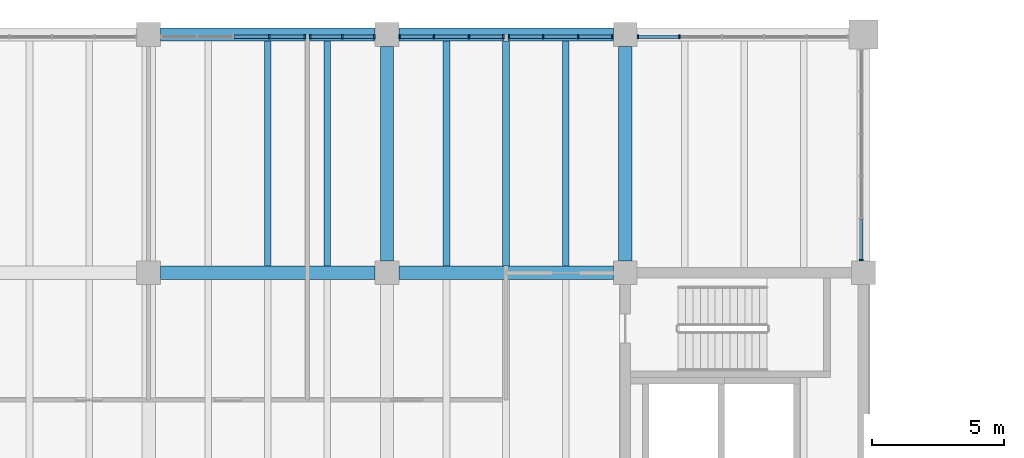
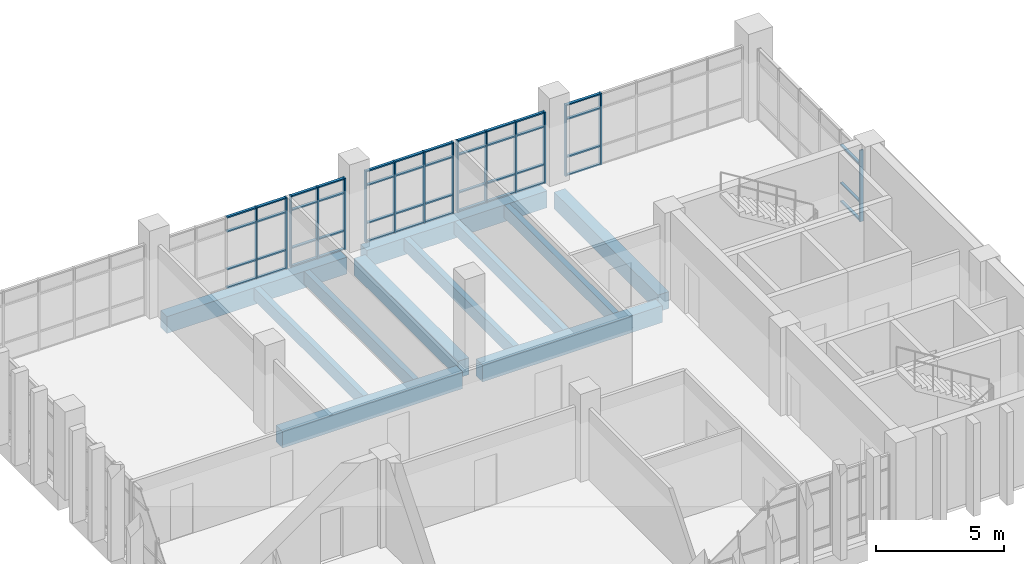
# One storey, part 32 of 92: 63 members, 11 beams, 6 elements without a shape of their own.
"""IFC4 building model written with IfcOpenShell, lengths in metres."""

from ifc_helpers import new_model, si_unit, direction, frame, origin, origin_2d, place, context, subcontext, project, spatial, rectangle, extrude, material, material_profile, profile_set, type_object, element, aggregate, save


model = new_model("IFC4")

# Units and contexts
model_context = context("Model", 3, precision=1e-05, world=origin(), true_north=direction((0.0, 1.0)))
body_context = subcontext(model_context, "Body", "Model", "MODEL_VIEW")
ifc_project = project(units=[si_unit("LENGTHUNIT", "METRE"), si_unit("AREAUNIT", "SQUARE_METRE"), si_unit("VOLUMEUNIT", "CUBIC_METRE"), si_unit("PLANEANGLEUNIT", "RADIAN"), si_unit("MASSUNIT", "GRAM", prefix="KILO")], contexts=[model_context])

# Site, building, storey
site_placement = place(None, origin())
site = spatial("IfcSite", under=ifc_project, at=site_placement, CompositionType="ELEMENT")
building_placement = place(site_placement, origin())
building = spatial("IfcBuilding", under=site, at=building_placement, Name="Merrow Basin Faculty of Sciences", CompositionType="ELEMENT")
storey_placement = place(building_placement, frame((0.0, 0.0, 4.5)))
storey = spatial("IfcBuildingStorey", under=building, at=storey_placement, Name="L01", CompositionType="ELEMENT", Elevation=4.5)

# Curtain wall, members
ifc_material_1 = material(Name="Aluminium alloy 6063", Category="aluminium")
curtain_wall_type = type_object("IfcCurtainWallType", Name="Unitised curtain wall 160", PredefinedType="NOTDEFINED", material=ifc_material_1)
curtain_wall_1_placement = place(storey_placement, origin())
curtain_wall_1 = element("IfcCurtainWall", 1, at=curtain_wall_1_placement, inside=storey, type_object=curtain_wall_type, Name="N curtain wall L01 2", PredefinedType="NOTDEFINED")
ifc_material_2 = material(Name="Aluminium alloy 6063", Category="aluminium")
ifc_material_profile_1 = material_profile(ifc_material_2, rectangle(XDim=0.159912109375, YDim=0.06005859375, at=origin_2d()))
ifc_profile_set_1 = profile_set([ifc_material_profile_1], Name="Aluminium alloy 6063")
member_type_1 = type_object("IfcMemberType", Name="Aluminium mullion 60x160", PredefinedType="MULLION", material=ifc_profile_set_1)
member_1_placement = place(storey_placement, frame((31.55615234375, 168.919921875, 0.0), z_axis=(0.0, 0.0, 1.0), x_axis=(0.0, 1.0, 0.0)))
member_1 = element("IfcMember", 2, at=member_1_placement, type_object=member_type_1, Name="CW3 mullion 4", PredefinedType="MULLION", context=body_context, shape_type="SweptSolid", body=[
    extrude(rectangle(XDim=0.159912109375, YDim=0.06005859375, at=origin_2d()), origin(), (0.0, 0.0, 1.0), 3.39990234375),
])
member_2_placement = place(storey_placement, frame((32.89501953125, 168.919921875, 0.0), z_axis=(0.0, 0.0, 1.0), x_axis=(0.0, 1.0, 0.0)))
member_2 = element("IfcMember", 3, at=member_2_placement, type_object=member_type_1, Name="CW3 mullion 5", PredefinedType="MULLION", context=body_context, shape_type="SweptSolid", body=[
    extrude(rectangle(XDim=0.159912109375, YDim=0.06005859375, at=origin_2d()), origin(), (0.0, 0.0, 1.0), 3.39990234375),
])

curtain_wall_2_placement = place(storey_placement, origin())
curtain_wall_2 = element("IfcCurtainWall", 4, at=curtain_wall_2_placement, inside=storey, type_object=curtain_wall_type, Name="N curtain wall L01 3", PredefinedType="NOTDEFINED")
member_3_placement = place(storey_placement, frame((33.10498046875, 168.919921875, 0.0), z_axis=(0.0, 0.0, 1.0), x_axis=(0.0, 1.0, 0.0)))
member_3 = element("IfcMember", 5, at=member_3_placement, type_object=member_type_1, Name="CW3 mullion 1", PredefinedType="MULLION", context=body_context, shape_type="SweptSolid", body=[
    extrude(rectangle(XDim=0.159912109375, YDim=0.06005859375, at=origin_2d()), origin(), (0.0, 0.0, 1.0), 3.39990234375),
])
member_4_placement = place(storey_placement, frame((34.3125, 168.919921875, 0.0), z_axis=(0.0, 0.0, 1.0), x_axis=(0.0, 1.0, 0.0)))
member_4 = element("IfcMember", 6, at=member_4_placement, type_object=member_type_1, Name="CW3 mullion 2", PredefinedType="MULLION", context=body_context, shape_type="SweptSolid", body=[
    extrude(rectangle(XDim=0.159912109375, YDim=0.06005859375, at=origin_2d()), origin(), (0.0, 0.0, 1.0), 3.39990234375),
])
member_5_placement = place(storey_placement, frame((35.52001953125, 168.919921875, 0.0), z_axis=(0.0, 0.0, 1.0), x_axis=(0.0, 1.0, 0.0)))
member_5 = element("IfcMember", 7, at=member_5_placement, type_object=member_type_1, Name="CW3 mullion 3", PredefinedType="MULLION", context=body_context, shape_type="SweptSolid", body=[
    extrude(rectangle(XDim=0.159912109375, YDim=0.06005859375, at=origin_2d()), origin(), (0.0, 0.0, 1.0), 3.39990234375),
])

curtain_wall_3_placement = place(storey_placement, origin())
curtain_wall_3 = element("IfcCurtainWall", 8, at=curtain_wall_3_placement, inside=storey, type_object=curtain_wall_type, Name="N curtain wall L01 4", PredefinedType="NOTDEFINED")
member_6_placement = place(storey_placement, frame((36.47998046875, 168.919921875, 0.0), z_axis=(0.0, 0.0, 1.0), x_axis=(0.0, 1.0, 0.0)))
member_6 = element("IfcMember", 9, at=member_6_placement, type_object=member_type_1, Name="CW3 mullion 1", PredefinedType="MULLION", context=body_context, shape_type="SweptSolid", body=[
    extrude(rectangle(XDim=0.159912109375, YDim=0.06005859375, at=origin_2d()), origin(), (0.0, 0.0, 1.0), 3.39990234375),
])
member_7_placement = place(storey_placement, frame((37.77490234375, 168.919921875, 0.0), z_axis=(0.0, 0.0, 1.0), x_axis=(0.0, 1.0, 0.0)))
member_7 = element("IfcMember", 10, at=member_7_placement, type_object=member_type_1, Name="CW3 mullion 2", PredefinedType="MULLION", context=body_context, shape_type="SweptSolid", body=[
    extrude(rectangle(XDim=0.159912109375, YDim=0.06005859375, at=origin_2d()), origin(), (0.0, 0.0, 1.0), 3.39990234375),
])
member_8_placement = place(storey_placement, frame((39.10009765625, 168.919921875, 0.0), z_axis=(0.0, 0.0, 1.0), x_axis=(0.0, 1.0, 0.0)))
member_8 = element("IfcMember", 11, at=member_8_placement, type_object=member_type_1, Name="CW3 mullion 3", PredefinedType="MULLION", context=body_context, shape_type="SweptSolid", body=[
    extrude(rectangle(XDim=0.159912109375, YDim=0.06005859375, at=origin_2d()), origin(), (0.0, 0.0, 1.0), 3.39990234375),
])
member_9_placement = place(storey_placement, frame((40.39501953125, 168.919921875, 0.0), z_axis=(0.0, 0.0, 1.0), x_axis=(0.0, 1.0, 0.0)))
member_9 = element("IfcMember", 12, at=member_9_placement, type_object=member_type_1, Name="CW3 mullion 4", PredefinedType="MULLION", context=body_context, shape_type="SweptSolid", body=[
    extrude(rectangle(XDim=0.159912109375, YDim=0.06005859375, at=origin_2d()), origin(), (0.0, 0.0, 1.0), 3.39990234375),
])

curtain_wall_4_placement = place(storey_placement, origin())
curtain_wall_4 = element("IfcCurtainWall", 13, at=curtain_wall_4_placement, inside=storey, type_object=curtain_wall_type, Name="N curtain wall L01 5", PredefinedType="NOTDEFINED")
member_10_placement = place(storey_placement, frame((40.60498046875, 168.919921875, 0.0), z_axis=(0.0, 0.0, 1.0), x_axis=(0.0, 1.0, 0.0)))
member_10 = element("IfcMember", 14, at=member_10_placement, type_object=member_type_1, Name="CW3 mullion 1", PredefinedType="MULLION", context=body_context, shape_type="SweptSolid", body=[
    extrude(rectangle(XDim=0.159912109375, YDim=0.06005859375, at=origin_2d()), origin(), (0.0, 0.0, 1.0), 3.39990234375),
])
member_11_placement = place(storey_placement, frame((41.89990234375, 168.919921875, 0.0), z_axis=(0.0, 0.0, 1.0), x_axis=(0.0, 1.0, 0.0)))
member_11 = element("IfcMember", 15, at=member_11_placement, type_object=member_type_1, Name="CW3 mullion 2", PredefinedType="MULLION", context=body_context, shape_type="SweptSolid", body=[
    extrude(rectangle(XDim=0.159912109375, YDim=0.06005859375, at=origin_2d()), origin(), (0.0, 0.0, 1.0), 3.39990234375),
])
member_12_placement = place(storey_placement, frame((43.22509765625, 168.919921875, 0.0), z_axis=(0.0, 0.0, 1.0), x_axis=(0.0, 1.0, 0.0)))
member_12 = element("IfcMember", 16, at=member_12_placement, type_object=member_type_1, Name="CW3 mullion 3", PredefinedType="MULLION", context=body_context, shape_type="SweptSolid", body=[
    extrude(rectangle(XDim=0.159912109375, YDim=0.06005859375, at=origin_2d()), origin(), (0.0, 0.0, 1.0), 3.39990234375),
])
member_13_placement = place(storey_placement, frame((44.52001953125, 168.919921875, 0.0), z_axis=(0.0, 0.0, 1.0), x_axis=(0.0, 1.0, 0.0)))
member_13 = element("IfcMember", 17, at=member_13_placement, type_object=member_type_1, Name="CW3 mullion 4", PredefinedType="MULLION", context=body_context, shape_type="SweptSolid", body=[
    extrude(rectangle(XDim=0.159912109375, YDim=0.06005859375, at=origin_2d()), origin(), (0.0, 0.0, 1.0), 3.39990234375),
])

curtain_wall_5_placement = place(storey_placement, origin())
curtain_wall_5 = element("IfcCurtainWall", 18, at=curtain_wall_5_placement, inside=storey, type_object=curtain_wall_type, Name="N curtain wall L01 6", PredefinedType="NOTDEFINED")
member_14_placement = place(storey_placement, frame((45.47998046875, 168.919921875, 0.0), z_axis=(0.0, 0.0, 1.0), x_axis=(0.0, 1.0, 0.0)))
member_14 = element("IfcMember", 19, at=member_14_placement, type_object=member_type_1, Name="CW3 mullion 1", PredefinedType="MULLION", context=body_context, shape_type="SweptSolid", body=[
    extrude(rectangle(XDim=0.159912109375, YDim=0.06005859375, at=origin_2d()), origin(), (0.0, 0.0, 1.0), 3.39990234375),
])
member_15_placement = place(storey_placement, frame((47.050048828125, 168.919921875, 0.0), z_axis=(0.0, 0.0, 1.0), x_axis=(0.0, 1.0, 0.0)))
member_15 = element("IfcMember", 20, at=member_15_placement, type_object=member_type_1, Name="CW3 mullion 2", PredefinedType="MULLION", context=body_context, shape_type="SweptSolid", body=[
    extrude(rectangle(XDim=0.159912109375, YDim=0.06005859375, at=origin_2d()), origin(), (0.0, 0.0, 1.0), 3.39990234375),
])

# Curtain wall, member
curtain_wall_6_placement = place(storey_placement, origin())
curtain_wall_6 = element("IfcCurtainWall", 21, at=curtain_wall_6_placement, inside=storey, type_object=curtain_wall_type, Name="E curtain wall L01 1", PredefinedType="NOTDEFINED")
member_16_placement = place(storey_placement, frame((53.919921875, 160.47998046875, 0.0), z_axis=(0.0, 0.0, 1.0), x_axis=(-1.0, 0.0, 0.0)))
member_16 = element("IfcMember", 22, at=member_16_placement, type_object=member_type_1, Name="CW3 mullion 1", PredefinedType="MULLION", context=body_context, shape_type="SweptSolid", body=[
    extrude(rectangle(XDim=0.159912109375, YDim=0.06005859375, at=origin_2d()), origin(), (0.0, 0.0, 1.0), 3.39990234375),
])

# Member
ifc_material_3 = material(Name="Aluminium alloy 6063", Category="aluminium")
ifc_material_profile_2 = material_profile(ifc_material_3, rectangle(XDim=0.1201171875, YDim=0.06005859375, at=origin_2d()))
ifc_profile_set_2 = profile_set([ifc_material_profile_2], Name="Aluminium alloy 6063")
member_type_2 = type_object("IfcMemberType", Name="Aluminium transom 60x120", PredefinedType="USERDEFINED", material=ifc_profile_set_2)
member_17_placement = place(storey_placement, frame((30.217529296875, 168.919921875, 0.030029296875), z_axis=(1.0, 0.0, 0.0), x_axis=(0.0, 1.0, 0.0)))
member_17 = element("IfcMember", 23, at=member_17_placement, type_object=member_type_2, Name="CW3 transom 3.1", ObjectType="TRANSOM", PredefinedType="USERDEFINED", context=body_context, shape_type="SweptSolid", body=[
    extrude(rectangle(XDim=0.1201171875, YDim=0.06005859375, at=origin_2d()), origin(), (0.0, 0.0, 1.0), 1.308837890625),
])

member_18_placement = place(storey_placement, frame((30.217529296875, 168.919921875, 0.89990234375), z_axis=(1.0, 0.0, 0.0), x_axis=(0.0, 1.0, 0.0)))
member_18 = element("IfcMember", 24, at=member_18_placement, type_object=member_type_2, Name="CW3 transom 3.2", ObjectType="TRANSOM", PredefinedType="USERDEFINED", context=body_context, shape_type="SweptSolid", body=[
    extrude(rectangle(XDim=0.1201171875, YDim=0.06005859375, at=origin_2d()), origin(), (0.0, 0.0, 1.0), 1.308837890625),
])

member_19_placement = place(storey_placement, frame((30.217529296875, 168.919921875, 2.699951171875), z_axis=(1.0, 0.0, 0.0), x_axis=(0.0, 1.0, 0.0)))
member_19 = element("IfcMember", 25, at=member_19_placement, type_object=member_type_2, Name="CW3 transom 3.3", ObjectType="TRANSOM", PredefinedType="USERDEFINED", context=body_context, shape_type="SweptSolid", body=[
    extrude(rectangle(XDim=0.1201171875, YDim=0.06005859375, at=origin_2d()), origin(), (0.0, 0.0, 1.0), 1.308837890625),
])

member_20_placement = place(storey_placement, frame((30.217529296875, 168.919921875, 3.3701171875), z_axis=(1.0, 0.0, 0.0), x_axis=(0.0, 1.0, 0.0)))
member_20 = element("IfcMember", 26, at=member_20_placement, type_object=member_type_2, Name="CW3 transom 3.4", ObjectType="TRANSOM", PredefinedType="USERDEFINED", context=body_context, shape_type="SweptSolid", body=[
    extrude(rectangle(XDim=0.1201171875, YDim=0.06005859375, at=origin_2d()), origin(), (0.0, 0.0, 1.0), 1.308837890625),
])

member_21_placement = place(storey_placement, frame((31.586181640625, 168.919921875, 0.030029296875), z_axis=(1.0, 0.0, 0.0), x_axis=(0.0, 1.0, 0.0)))
member_21 = element("IfcMember", 27, at=member_21_placement, type_object=member_type_2, Name="CW3 transom 4.1", ObjectType="TRANSOM", PredefinedType="USERDEFINED", context=body_context, shape_type="SweptSolid", body=[
    extrude(rectangle(XDim=0.1201171875, YDim=0.06005859375, at=origin_2d()), origin(), (0.0, 0.0, 1.0), 1.27880859375),
])

member_22_placement = place(storey_placement, frame((31.586181640625, 168.919921875, 0.89990234375), z_axis=(1.0, 0.0, 0.0), x_axis=(0.0, 1.0, 0.0)))
member_22 = element("IfcMember", 28, at=member_22_placement, type_object=member_type_2, Name="CW3 transom 4.2", ObjectType="TRANSOM", PredefinedType="USERDEFINED", context=body_context, shape_type="SweptSolid", body=[
    extrude(rectangle(XDim=0.1201171875, YDim=0.06005859375, at=origin_2d()), origin(), (0.0, 0.0, 1.0), 1.27880859375),
])

member_23_placement = place(storey_placement, frame((31.586181640625, 168.919921875, 2.699951171875), z_axis=(1.0, 0.0, 0.0), x_axis=(0.0, 1.0, 0.0)))
member_23 = element("IfcMember", 29, at=member_23_placement, type_object=member_type_2, Name="CW3 transom 4.3", ObjectType="TRANSOM", PredefinedType="USERDEFINED", context=body_context, shape_type="SweptSolid", body=[
    extrude(rectangle(XDim=0.1201171875, YDim=0.06005859375, at=origin_2d()), origin(), (0.0, 0.0, 1.0), 1.27880859375),
])

member_24_placement = place(storey_placement, frame((31.586181640625, 168.919921875, 3.3701171875), z_axis=(1.0, 0.0, 0.0), x_axis=(0.0, 1.0, 0.0)))
member_24 = element("IfcMember", 30, at=member_24_placement, type_object=member_type_2, Name="CW3 transom 4.4", ObjectType="TRANSOM", PredefinedType="USERDEFINED", context=body_context, shape_type="SweptSolid", body=[
    extrude(rectangle(XDim=0.1201171875, YDim=0.06005859375, at=origin_2d()), origin(), (0.0, 0.0, 1.0), 1.27880859375),
])

aggregate(curtain_wall_1, [member_1, member_2, member_17, member_18, member_19, member_20, member_21, member_22, member_23, member_24])

member_25_placement = place(storey_placement, frame((33.135009765625, 168.919921875, 0.030029296875), z_axis=(1.0, 0.0, 0.0), x_axis=(0.0, 1.0, 0.0)))
member_25 = element("IfcMember", 31, at=member_25_placement, type_object=member_type_2, Name="CW3 transom 1.1", ObjectType="TRANSOM", PredefinedType="USERDEFINED", context=body_context, shape_type="SweptSolid", body=[
    extrude(rectangle(XDim=0.1201171875, YDim=0.06005859375, at=origin_2d()), origin(), (0.0, 0.0, 1.0), 1.1474609375),
])

member_26_placement = place(storey_placement, frame((33.135009765625, 168.919921875, 0.89990234375), z_axis=(1.0, 0.0, 0.0), x_axis=(0.0, 1.0, 0.0)))
member_26 = element("IfcMember", 32, at=member_26_placement, type_object=member_type_2, Name="CW3 transom 1.2", ObjectType="TRANSOM", PredefinedType="USERDEFINED", context=body_context, shape_type="SweptSolid", body=[
    extrude(rectangle(XDim=0.1201171875, YDim=0.06005859375, at=origin_2d()), origin(), (0.0, 0.0, 1.0), 1.1474609375),
])

member_27_placement = place(storey_placement, frame((33.135009765625, 168.919921875, 2.699951171875), z_axis=(1.0, 0.0, 0.0), x_axis=(0.0, 1.0, 0.0)))
member_27 = element("IfcMember", 33, at=member_27_placement, type_object=member_type_2, Name="CW3 transom 1.3", ObjectType="TRANSOM", PredefinedType="USERDEFINED", context=body_context, shape_type="SweptSolid", body=[
    extrude(rectangle(XDim=0.1201171875, YDim=0.06005859375, at=origin_2d()), origin(), (0.0, 0.0, 1.0), 1.1474609375),
])

member_28_placement = place(storey_placement, frame((33.135009765625, 168.919921875, 3.3701171875), z_axis=(1.0, 0.0, 0.0), x_axis=(0.0, 1.0, 0.0)))
member_28 = element("IfcMember", 34, at=member_28_placement, type_object=member_type_2, Name="CW3 transom 1.4", ObjectType="TRANSOM", PredefinedType="USERDEFINED", context=body_context, shape_type="SweptSolid", body=[
    extrude(rectangle(XDim=0.1201171875, YDim=0.06005859375, at=origin_2d()), origin(), (0.0, 0.0, 1.0), 1.1474609375),
])

member_29_placement = place(storey_placement, frame((34.342529296875, 168.919921875, 0.030029296875), z_axis=(1.0, 0.0, 0.0), x_axis=(0.0, 1.0, 0.0)))
member_29 = element("IfcMember", 35, at=member_29_placement, type_object=member_type_2, Name="CW3 transom 2.1", ObjectType="TRANSOM", PredefinedType="USERDEFINED", context=body_context, shape_type="SweptSolid", body=[
    extrude(rectangle(XDim=0.1201171875, YDim=0.06005859375, at=origin_2d()), origin(), (0.0, 0.0, 1.0), 1.1474609375),
])

member_30_placement = place(storey_placement, frame((34.342529296875, 168.919921875, 0.89990234375), z_axis=(1.0, 0.0, 0.0), x_axis=(0.0, 1.0, 0.0)))
member_30 = element("IfcMember", 36, at=member_30_placement, type_object=member_type_2, Name="CW3 transom 2.2", ObjectType="TRANSOM", PredefinedType="USERDEFINED", context=body_context, shape_type="SweptSolid", body=[
    extrude(rectangle(XDim=0.1201171875, YDim=0.06005859375, at=origin_2d()), origin(), (0.0, 0.0, 1.0), 1.1474609375),
])

member_31_placement = place(storey_placement, frame((34.342529296875, 168.919921875, 2.699951171875), z_axis=(1.0, 0.0, 0.0), x_axis=(0.0, 1.0, 0.0)))
member_31 = element("IfcMember", 37, at=member_31_placement, type_object=member_type_2, Name="CW3 transom 2.3", ObjectType="TRANSOM", PredefinedType="USERDEFINED", context=body_context, shape_type="SweptSolid", body=[
    extrude(rectangle(XDim=0.1201171875, YDim=0.06005859375, at=origin_2d()), origin(), (0.0, 0.0, 1.0), 1.1474609375),
])

member_32_placement = place(storey_placement, frame((34.342529296875, 168.919921875, 3.3701171875), z_axis=(1.0, 0.0, 0.0), x_axis=(0.0, 1.0, 0.0)))
member_32 = element("IfcMember", 38, at=member_32_placement, type_object=member_type_2, Name="CW3 transom 2.4", ObjectType="TRANSOM", PredefinedType="USERDEFINED", context=body_context, shape_type="SweptSolid", body=[
    extrude(rectangle(XDim=0.1201171875, YDim=0.06005859375, at=origin_2d()), origin(), (0.0, 0.0, 1.0), 1.1474609375),
])

aggregate(curtain_wall_2, [member_3, member_4, member_5, member_25, member_26, member_27, member_28, member_29, member_30, member_31, member_32])

member_33_placement = place(storey_placement, frame((36.510009765625, 168.919921875, 0.030029296875), z_axis=(1.0, 0.0, 0.0), x_axis=(0.0, 1.0, 0.0)))
member_33 = element("IfcMember", 39, at=member_33_placement, type_object=member_type_2, Name="CW3 transom 1.1", ObjectType="TRANSOM", PredefinedType="USERDEFINED", context=body_context, shape_type="SweptSolid", body=[
    extrude(rectangle(XDim=0.1201171875, YDim=0.06005859375, at=origin_2d()), origin(), (0.0, 0.0, 1.0), 1.235107421875),
])

member_34_placement = place(storey_placement, frame((36.510009765625, 168.919921875, 0.89990234375), z_axis=(1.0, 0.0, 0.0), x_axis=(0.0, 1.0, 0.0)))
member_34 = element("IfcMember", 40, at=member_34_placement, type_object=member_type_2, Name="CW3 transom 1.2", ObjectType="TRANSOM", PredefinedType="USERDEFINED", context=body_context, shape_type="SweptSolid", body=[
    extrude(rectangle(XDim=0.1201171875, YDim=0.06005859375, at=origin_2d()), origin(), (0.0, 0.0, 1.0), 1.235107421875),
])

member_35_placement = place(storey_placement, frame((36.510009765625, 168.919921875, 2.699951171875), z_axis=(1.0, 0.0, 0.0), x_axis=(0.0, 1.0, 0.0)))
member_35 = element("IfcMember", 41, at=member_35_placement, type_object=member_type_2, Name="CW3 transom 1.3", ObjectType="TRANSOM", PredefinedType="USERDEFINED", context=body_context, shape_type="SweptSolid", body=[
    extrude(rectangle(XDim=0.1201171875, YDim=0.06005859375, at=origin_2d()), origin(), (0.0, 0.0, 1.0), 1.235107421875),
])

member_36_placement = place(storey_placement, frame((36.510009765625, 168.919921875, 3.3701171875), z_axis=(1.0, 0.0, 0.0), x_axis=(0.0, 1.0, 0.0)))
member_36 = element("IfcMember", 42, at=member_36_placement, type_object=member_type_2, Name="CW3 transom 1.4", ObjectType="TRANSOM", PredefinedType="USERDEFINED", context=body_context, shape_type="SweptSolid", body=[
    extrude(rectangle(XDim=0.1201171875, YDim=0.06005859375, at=origin_2d()), origin(), (0.0, 0.0, 1.0), 1.235107421875),
])

member_37_placement = place(storey_placement, frame((37.804931640625, 168.919921875, 0.030029296875), z_axis=(1.0, 0.0, 0.0), x_axis=(0.0, 1.0, 0.0)))
member_37 = element("IfcMember", 43, at=member_37_placement, type_object=member_type_2, Name="CW3 transom 2.1", ObjectType="TRANSOM", PredefinedType="USERDEFINED", context=body_context, shape_type="SweptSolid", body=[
    extrude(rectangle(XDim=0.1201171875, YDim=0.06005859375, at=origin_2d()), origin(), (0.0, 0.0, 1.0), 1.26513671875),
])

member_38_placement = place(storey_placement, frame((37.804931640625, 168.919921875, 0.89990234375), z_axis=(1.0, 0.0, 0.0), x_axis=(0.0, 1.0, 0.0)))
member_38 = element("IfcMember", 44, at=member_38_placement, type_object=member_type_2, Name="CW3 transom 2.2", ObjectType="TRANSOM", PredefinedType="USERDEFINED", context=body_context, shape_type="SweptSolid", body=[
    extrude(rectangle(XDim=0.1201171875, YDim=0.06005859375, at=origin_2d()), origin(), (0.0, 0.0, 1.0), 1.26513671875),
])

member_39_placement = place(storey_placement, frame((37.804931640625, 168.919921875, 2.699951171875), z_axis=(1.0, 0.0, 0.0), x_axis=(0.0, 1.0, 0.0)))
member_39 = element("IfcMember", 45, at=member_39_placement, type_object=member_type_2, Name="CW3 transom 2.3", ObjectType="TRANSOM", PredefinedType="USERDEFINED", context=body_context, shape_type="SweptSolid", body=[
    extrude(rectangle(XDim=0.1201171875, YDim=0.06005859375, at=origin_2d()), origin(), (0.0, 0.0, 1.0), 1.26513671875),
])

member_40_placement = place(storey_placement, frame((37.804931640625, 168.919921875, 3.3701171875), z_axis=(1.0, 0.0, 0.0), x_axis=(0.0, 1.0, 0.0)))
member_40 = element("IfcMember", 46, at=member_40_placement, type_object=member_type_2, Name="CW3 transom 2.4", ObjectType="TRANSOM", PredefinedType="USERDEFINED", context=body_context, shape_type="SweptSolid", body=[
    extrude(rectangle(XDim=0.1201171875, YDim=0.06005859375, at=origin_2d()), origin(), (0.0, 0.0, 1.0), 1.26513671875),
])

member_41_placement = place(storey_placement, frame((39.1298828125, 168.919921875, 0.030029296875), z_axis=(1.0, 0.0, 0.0), x_axis=(0.0, 1.0, 0.0)))
member_41 = element("IfcMember", 47, at=member_41_placement, type_object=member_type_2, Name="CW3 transom 3.1", ObjectType="TRANSOM", PredefinedType="USERDEFINED", context=body_context, shape_type="SweptSolid", body=[
    extrude(rectangle(XDim=0.1201171875, YDim=0.06005859375, at=origin_2d()), origin(), (0.0, 0.0, 1.0), 1.235107421875),
])

member_42_placement = place(storey_placement, frame((39.1298828125, 168.919921875, 0.89990234375), z_axis=(1.0, 0.0, 0.0), x_axis=(0.0, 1.0, 0.0)))
member_42 = element("IfcMember", 48, at=member_42_placement, type_object=member_type_2, Name="CW3 transom 3.2", ObjectType="TRANSOM", PredefinedType="USERDEFINED", context=body_context, shape_type="SweptSolid", body=[
    extrude(rectangle(XDim=0.1201171875, YDim=0.06005859375, at=origin_2d()), origin(), (0.0, 0.0, 1.0), 1.235107421875),
])

member_43_placement = place(storey_placement, frame((39.1298828125, 168.919921875, 2.699951171875), z_axis=(1.0, 0.0, 0.0), x_axis=(0.0, 1.0, 0.0)))
member_43 = element("IfcMember", 49, at=member_43_placement, type_object=member_type_2, Name="CW3 transom 3.3", ObjectType="TRANSOM", PredefinedType="USERDEFINED", context=body_context, shape_type="SweptSolid", body=[
    extrude(rectangle(XDim=0.1201171875, YDim=0.06005859375, at=origin_2d()), origin(), (0.0, 0.0, 1.0), 1.235107421875),
])

member_44_placement = place(storey_placement, frame((39.1298828125, 168.919921875, 3.3701171875), z_axis=(1.0, 0.0, 0.0), x_axis=(0.0, 1.0, 0.0)))
member_44 = element("IfcMember", 50, at=member_44_placement, type_object=member_type_2, Name="CW3 transom 3.4", ObjectType="TRANSOM", PredefinedType="USERDEFINED", context=body_context, shape_type="SweptSolid", body=[
    extrude(rectangle(XDim=0.1201171875, YDim=0.06005859375, at=origin_2d()), origin(), (0.0, 0.0, 1.0), 1.235107421875),
])

aggregate(curtain_wall_3, [member_6, member_7, member_8, member_9, member_33, member_34, member_35, member_36, member_37, member_38, member_39, member_40, member_41, member_42, member_43, member_44])

member_45_placement = place(storey_placement, frame((40.635009765625, 168.919921875, 0.030029296875), z_axis=(1.0, 0.0, 0.0), x_axis=(0.0, 1.0, 0.0)))
member_45 = element("IfcMember", 51, at=member_45_placement, type_object=member_type_2, Name="CW3 transom 1.1", ObjectType="TRANSOM", PredefinedType="USERDEFINED", context=body_context, shape_type="SweptSolid", body=[
    extrude(rectangle(XDim=0.1201171875, YDim=0.06005859375, at=origin_2d()), origin(), (0.0, 0.0, 1.0), 1.235107421875),
])

member_46_placement = place(storey_placement, frame((40.635009765625, 168.919921875, 0.89990234375), z_axis=(1.0, 0.0, 0.0), x_axis=(0.0, 1.0, 0.0)))
member_46 = element("IfcMember", 52, at=member_46_placement, type_object=member_type_2, Name="CW3 transom 1.2", ObjectType="TRANSOM", PredefinedType="USERDEFINED", context=body_context, shape_type="SweptSolid", body=[
    extrude(rectangle(XDim=0.1201171875, YDim=0.06005859375, at=origin_2d()), origin(), (0.0, 0.0, 1.0), 1.235107421875),
])

member_47_placement = place(storey_placement, frame((40.635009765625, 168.919921875, 2.699951171875), z_axis=(1.0, 0.0, 0.0), x_axis=(0.0, 1.0, 0.0)))
member_47 = element("IfcMember", 53, at=member_47_placement, type_object=member_type_2, Name="CW3 transom 1.3", ObjectType="TRANSOM", PredefinedType="USERDEFINED", context=body_context, shape_type="SweptSolid", body=[
    extrude(rectangle(XDim=0.1201171875, YDim=0.06005859375, at=origin_2d()), origin(), (0.0, 0.0, 1.0), 1.235107421875),
])

member_48_placement = place(storey_placement, frame((40.635009765625, 168.919921875, 3.3701171875), z_axis=(1.0, 0.0, 0.0), x_axis=(0.0, 1.0, 0.0)))
member_48 = element("IfcMember", 54, at=member_48_placement, type_object=member_type_2, Name="CW3 transom 1.4", ObjectType="TRANSOM", PredefinedType="USERDEFINED", context=body_context, shape_type="SweptSolid", body=[
    extrude(rectangle(XDim=0.1201171875, YDim=0.06005859375, at=origin_2d()), origin(), (0.0, 0.0, 1.0), 1.235107421875),
])

member_49_placement = place(storey_placement, frame((41.929931640625, 168.919921875, 0.030029296875), z_axis=(1.0, 0.0, 0.0), x_axis=(0.0, 1.0, 0.0)))
member_49 = element("IfcMember", 55, at=member_49_placement, type_object=member_type_2, Name="CW3 transom 2.1", ObjectType="TRANSOM", PredefinedType="USERDEFINED", context=body_context, shape_type="SweptSolid", body=[
    extrude(rectangle(XDim=0.1201171875, YDim=0.06005859375, at=origin_2d()), origin(), (0.0, 0.0, 1.0), 1.26513671875),
])

member_50_placement = place(storey_placement, frame((41.929931640625, 168.919921875, 0.89990234375), z_axis=(1.0, 0.0, 0.0), x_axis=(0.0, 1.0, 0.0)))
member_50 = element("IfcMember", 56, at=member_50_placement, type_object=member_type_2, Name="CW3 transom 2.2", ObjectType="TRANSOM", PredefinedType="USERDEFINED", context=body_context, shape_type="SweptSolid", body=[
    extrude(rectangle(XDim=0.1201171875, YDim=0.06005859375, at=origin_2d()), origin(), (0.0, 0.0, 1.0), 1.26513671875),
])

member_51_placement = place(storey_placement, frame((41.929931640625, 168.919921875, 2.699951171875), z_axis=(1.0, 0.0, 0.0), x_axis=(0.0, 1.0, 0.0)))
member_51 = element("IfcMember", 57, at=member_51_placement, type_object=member_type_2, Name="CW3 transom 2.3", ObjectType="TRANSOM", PredefinedType="USERDEFINED", context=body_context, shape_type="SweptSolid", body=[
    extrude(rectangle(XDim=0.1201171875, YDim=0.06005859375, at=origin_2d()), origin(), (0.0, 0.0, 1.0), 1.26513671875),
])

member_52_placement = place(storey_placement, frame((41.929931640625, 168.919921875, 3.3701171875), z_axis=(1.0, 0.0, 0.0), x_axis=(0.0, 1.0, 0.0)))
member_52 = element("IfcMember", 58, at=member_52_placement, type_object=member_type_2, Name="CW3 transom 2.4", ObjectType="TRANSOM", PredefinedType="USERDEFINED", context=body_context, shape_type="SweptSolid", body=[
    extrude(rectangle(XDim=0.1201171875, YDim=0.06005859375, at=origin_2d()), origin(), (0.0, 0.0, 1.0), 1.26513671875),
])

member_53_placement = place(storey_placement, frame((43.2548828125, 168.919921875, 0.030029296875), z_axis=(1.0, 0.0, 0.0), x_axis=(0.0, 1.0, 0.0)))
member_53 = element("IfcMember", 59, at=member_53_placement, type_object=member_type_2, Name="CW3 transom 3.1", ObjectType="TRANSOM", PredefinedType="USERDEFINED", context=body_context, shape_type="SweptSolid", body=[
    extrude(rectangle(XDim=0.1201171875, YDim=0.06005859375, at=origin_2d()), origin(), (0.0, 0.0, 1.0), 1.235107421875),
])

member_54_placement = place(storey_placement, frame((43.2548828125, 168.919921875, 0.89990234375), z_axis=(1.0, 0.0, 0.0), x_axis=(0.0, 1.0, 0.0)))
member_54 = element("IfcMember", 60, at=member_54_placement, type_object=member_type_2, Name="CW3 transom 3.2", ObjectType="TRANSOM", PredefinedType="USERDEFINED", context=body_context, shape_type="SweptSolid", body=[
    extrude(rectangle(XDim=0.1201171875, YDim=0.06005859375, at=origin_2d()), origin(), (0.0, 0.0, 1.0), 1.235107421875),
])

member_55_placement = place(storey_placement, frame((43.2548828125, 168.919921875, 2.699951171875), z_axis=(1.0, 0.0, 0.0), x_axis=(0.0, 1.0, 0.0)))
member_55 = element("IfcMember", 61, at=member_55_placement, type_object=member_type_2, Name="CW3 transom 3.3", ObjectType="TRANSOM", PredefinedType="USERDEFINED", context=body_context, shape_type="SweptSolid", body=[
    extrude(rectangle(XDim=0.1201171875, YDim=0.06005859375, at=origin_2d()), origin(), (0.0, 0.0, 1.0), 1.235107421875),
])

member_56_placement = place(storey_placement, frame((43.2548828125, 168.919921875, 3.3701171875), z_axis=(1.0, 0.0, 0.0), x_axis=(0.0, 1.0, 0.0)))
member_56 = element("IfcMember", 62, at=member_56_placement, type_object=member_type_2, Name="CW3 transom 3.4", ObjectType="TRANSOM", PredefinedType="USERDEFINED", context=body_context, shape_type="SweptSolid", body=[
    extrude(rectangle(XDim=0.1201171875, YDim=0.06005859375, at=origin_2d()), origin(), (0.0, 0.0, 1.0), 1.235107421875),
])

aggregate(curtain_wall_4, [member_10, member_11, member_12, member_13, member_45, member_46, member_47, member_48, member_49, member_50, member_51, member_52, member_53, member_54, member_55, member_56])

member_57_placement = place(storey_placement, frame((45.510009765625, 168.919921875, 0.030029296875), z_axis=(1.0, 0.0, 0.0), x_axis=(0.0, 1.0, 0.0)))
member_57 = element("IfcMember", 63, at=member_57_placement, type_object=member_type_2, Name="CW3 transom 1.1", ObjectType="TRANSOM", PredefinedType="USERDEFINED", context=body_context, shape_type="SweptSolid", body=[
    extrude(rectangle(XDim=0.1201171875, YDim=0.06005859375, at=origin_2d()), origin(), (0.0, 0.0, 1.0), 1.510009765625),
])

member_58_placement = place(storey_placement, frame((45.510009765625, 168.919921875, 0.89990234375), z_axis=(1.0, 0.0, 0.0), x_axis=(0.0, 1.0, 0.0)))
member_58 = element("IfcMember", 64, at=member_58_placement, type_object=member_type_2, Name="CW3 transom 1.2", ObjectType="TRANSOM", PredefinedType="USERDEFINED", context=body_context, shape_type="SweptSolid", body=[
    extrude(rectangle(XDim=0.1201171875, YDim=0.06005859375, at=origin_2d()), origin(), (0.0, 0.0, 1.0), 1.510009765625),
])

member_59_placement = place(storey_placement, frame((45.510009765625, 168.919921875, 2.699951171875), z_axis=(1.0, 0.0, 0.0), x_axis=(0.0, 1.0, 0.0)))
member_59 = element("IfcMember", 65, at=member_59_placement, type_object=member_type_2, Name="CW3 transom 1.3", ObjectType="TRANSOM", PredefinedType="USERDEFINED", context=body_context, shape_type="SweptSolid", body=[
    extrude(rectangle(XDim=0.1201171875, YDim=0.06005859375, at=origin_2d()), origin(), (0.0, 0.0, 1.0), 1.510009765625),
])

member_60_placement = place(storey_placement, frame((45.510009765625, 168.919921875, 3.3701171875), z_axis=(1.0, 0.0, 0.0), x_axis=(0.0, 1.0, 0.0)))
member_60 = element("IfcMember", 66, at=member_60_placement, type_object=member_type_2, Name="CW3 transom 1.4", ObjectType="TRANSOM", PredefinedType="USERDEFINED", context=body_context, shape_type="SweptSolid", body=[
    extrude(rectangle(XDim=0.1201171875, YDim=0.06005859375, at=origin_2d()), origin(), (0.0, 0.0, 1.0), 1.510009765625),
])

aggregate(curtain_wall_5, [member_14, member_15, member_57, member_58, member_59, member_60])

member_61_placement = place(storey_placement, frame((53.919921875, 160.510009765625, 0.030029296875), z_axis=(0.0, 1.0, 0.0), x_axis=(-1.0, 0.0, 0.0)))
member_61 = element("IfcMember", 67, at=member_61_placement, type_object=member_type_2, Name="CW3 transom 1.1", ObjectType="TRANSOM", PredefinedType="USERDEFINED", context=body_context, shape_type="SweptSolid", body=[
    extrude(rectangle(XDim=0.1201171875, YDim=0.06005859375, at=origin_2d()), origin(), (0.0, 0.0, 1.0), 1.510009765625),
])

member_62_placement = place(storey_placement, frame((53.919921875, 160.510009765625, 0.89990234375), z_axis=(0.0, 1.0, 0.0), x_axis=(-1.0, 0.0, 0.0)))
member_62 = element("IfcMember", 68, at=member_62_placement, type_object=member_type_2, Name="CW3 transom 1.2", ObjectType="TRANSOM", PredefinedType="USERDEFINED", context=body_context, shape_type="SweptSolid", body=[
    extrude(rectangle(XDim=0.1201171875, YDim=0.06005859375, at=origin_2d()), origin(), (0.0, 0.0, 1.0), 1.510009765625),
])

member_63_placement = place(storey_placement, frame((53.919921875, 160.510009765625, 2.699951171875), z_axis=(0.0, 1.0, 0.0), x_axis=(-1.0, 0.0, 0.0)))
member_63 = element("IfcMember", 69, at=member_63_placement, type_object=member_type_2, Name="CW3 transom 1.3", ObjectType="TRANSOM", PredefinedType="USERDEFINED", context=body_context, shape_type="SweptSolid", body=[
    extrude(rectangle(XDim=0.1201171875, YDim=0.06005859375, at=origin_2d()), origin(), (0.0, 0.0, 1.0), 1.510009765625),
])

aggregate(curtain_wall_6, [member_16, member_61, member_62, member_63])

# Beams
ifc_material_4 = material(Name="Concrete C40/50", Category="concrete")
ifc_material_profile_3 = material_profile(ifc_material_4, rectangle(XDim=0.5, YDim=0.800048828125, at=origin_2d()))
ifc_profile_set_3 = profile_set([ifc_material_profile_3], Name="Concrete C40/50")
beam_type_1 = type_object("IfcBeamType", Name="Beam RC500x800 C40/50", PredefinedType="BEAM", material=ifc_profile_set_3)
for number, where, z_axis, x_axis, name in (
    (70, (27.449951171875, 160.0, -0.699951171875), (1.0, 0.0, 0.0), (0.0, 1.0, 0.0), "B4 L01 007"),
    (71, (36.449951171875, 160.0, -0.699951171875), (1.0, 0.0, 0.0), (0.0, 1.0, 0.0), "B4 L01 008"),
    (72, (27.449951171875, 169.0, -0.699951171875), (1.0, 0.0, 0.0), (0.0, 1.0, 0.0), "B4 L01 010"),
    (73, (36.449951171875, 169.0, -0.699951171875), (1.0, 0.0, 0.0), (0.0, 1.0, 0.0), "B4 L01 011"),
    (74, (36.0, 160.449951171875, -0.699951171875), (0.0, 1.0, 0.0), (-1.0, 0.0, 0.0), "B4 L01 019"),
    (75, (45.0, 160.449951171875, -0.699951171875), (0.0, 1.0, 0.0), (-1.0, 0.0, 0.0), "B4 L01 020"),
):
    element("IfcBeam", number, at=place(storey_placement, frame(where, z_axis=z_axis, x_axis=x_axis)), inside=storey, type_object=beam_type_1, Name=name, PredefinedType="BEAM", context=body_context, shape_type="SweptSolid", body=[
        extrude(rectangle(XDim=0.5, YDim=0.800048828125, at=origin_2d()), origin(), (0.0, 0.0, 1.0), 8.10009765625),
    ])
ifc_material_5 = material(Name="Concrete C40/50", Category="concrete")
ifc_material_profile_4 = material_profile(ifc_material_5, rectangle(XDim=0.25, YDim=0.60009765625, at=origin_2d()))
ifc_profile_set_4 = profile_set([ifc_material_profile_4], Name="Concrete C40/50")
beam_type_2 = type_object("IfcBeamType", Name="Tower floor joist RC250x600 C40/50", PredefinedType="BEAM", material=ifc_profile_set_4)
for number, where, z_axis, x_axis, name in (
    (76, (31.5, 160.25, -0.60009765625), (0.0, 1.0, 0.0), (-1.0, 0.0, 0.0), "JT1 L01 039"),
    (77, (33.75, 160.25, -0.60009765625), (0.0, 1.0, 0.0), (-1.0, 0.0, 0.0), "JT1 L01 040"),
    (78, (38.25, 160.25, -0.60009765625), (0.0, 1.0, 0.0), (-1.0, 0.0, 0.0), "JT1 L01 047"),
    (79, (40.5, 160.25, -0.60009765625), (0.0, 1.0, 0.0), (-1.0, 0.0, 0.0), "JT1 L01 048"),
    (80, (42.75, 160.25, -0.60009765625), (0.0, 1.0, 0.0), (-1.0, 0.0, 0.0), "JT1 L01 049"),
):
    element("IfcBeam", number, at=place(storey_placement, frame(where, z_axis=z_axis, x_axis=x_axis)), inside=storey, type_object=beam_type_2, Name=name, PredefinedType="BEAM", context=body_context, shape_type="SweptSolid", body=[
        extrude(rectangle(XDim=0.25, YDim=0.60009765625, at=origin_2d()), origin(), (0.0, 0.0, 1.0), 8.5),
    ])

save(model, "model.ifc")
